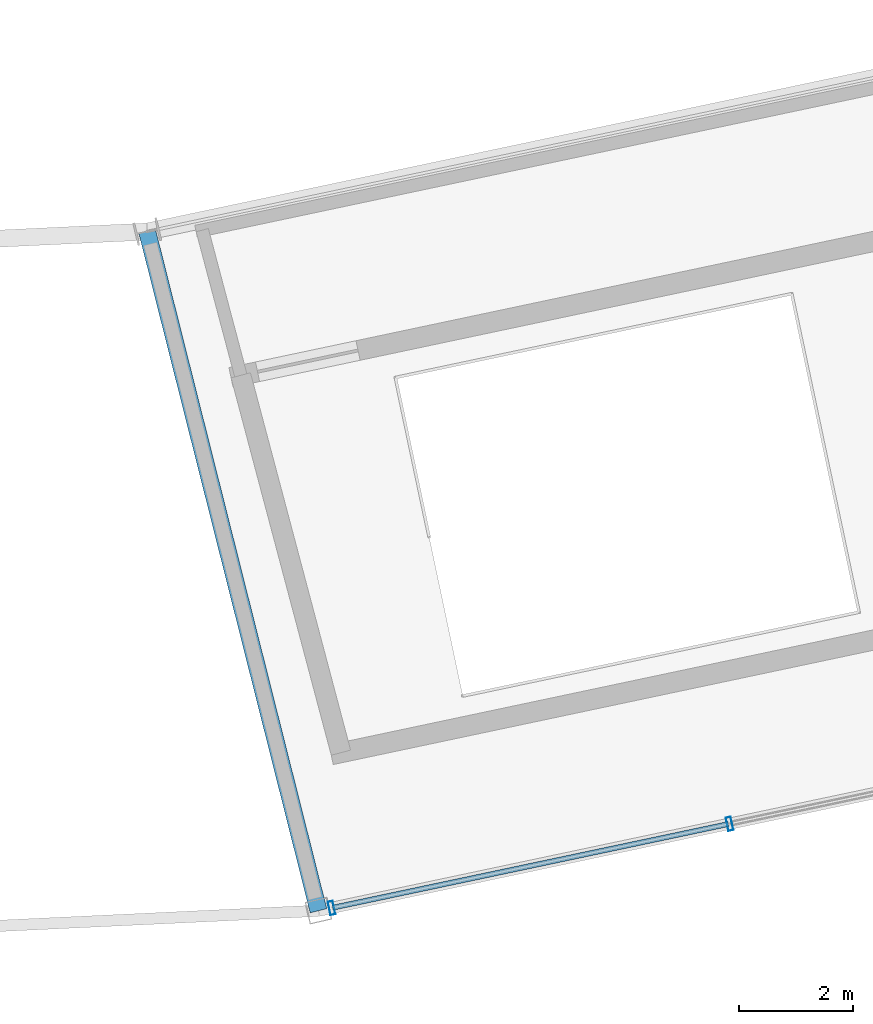
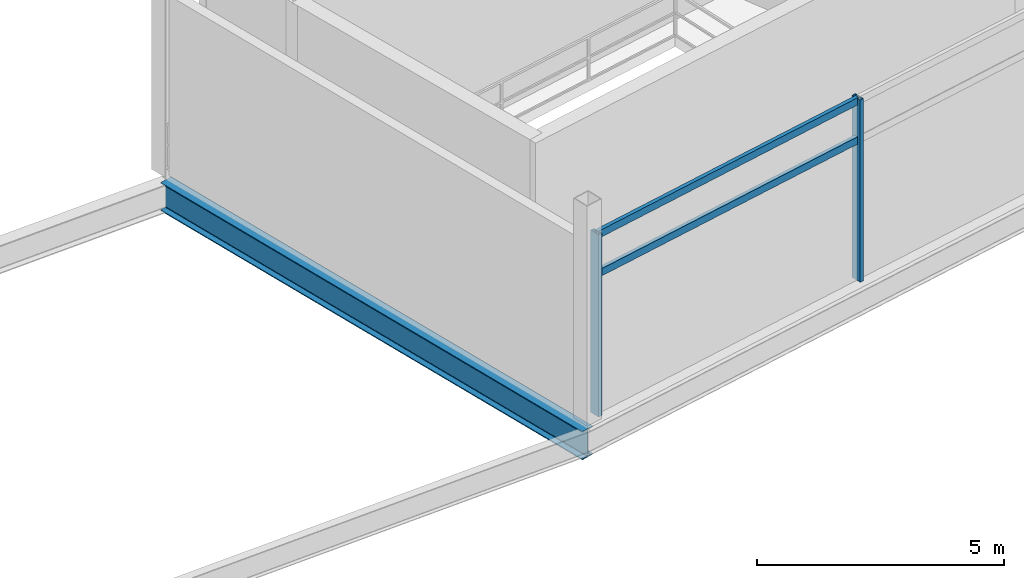
# One storey, part 35 of 86: 4 members, 1 beam, 1 element without a shape of its own.
"""IFC4 building model written with IfcOpenShell, lengths in metres."""

from ifc_helpers import new_model, si_unit, direction, frame, origin, origin_2d, place, context, subcontext, project, spatial, hollow_rectangle, i_section, extrude, material, layer, layer_set, material_profile, profile_set, type_object, element, aggregate, save


model = new_model("IFC4")

# Units and contexts
model_context = context("Model", 3, precision=1e-05, world=origin(), true_north=direction((0.0, 1.0)))
body_context = subcontext(model_context, "Body", "Model", "MODEL_VIEW")
ifc_project = project(units=[si_unit("LENGTHUNIT", "METRE"), si_unit("AREAUNIT", "SQUARE_METRE"), si_unit("VOLUMEUNIT", "CUBIC_METRE"), si_unit("PLANEANGLEUNIT", "RADIAN"), si_unit("MASSUNIT", "GRAM", prefix="KILO")], contexts=[model_context])

# Site, building, storey
site_placement = place(None, origin())
site = spatial("IfcSite", under=ifc_project, at=site_placement, CompositionType="ELEMENT")
building_placement = place(site_placement, origin())
building = spatial("IfcBuilding", under=site, at=building_placement, Name="Kazemori Nagisa Stadium", CompositionType="ELEMENT")
storey_placement = place(building_placement, frame((0.0, 0.0, 31.280029296875)))
storey = spatial("IfcBuildingStorey", under=building, at=storey_placement, Name="L06", CompositionType="ELEMENT", Elevation=31.280029296875)

# Beam
ifc_material_1 = material(Name="Steel SN490B", Category="steel")
ifc_material_profile_1 = material_profile(ifc_material_1, i_section(OverallWidth=0.300048828125, OverallDepth=0.699951171875, WebThickness=0.012939453125, FlangeThickness=0.02392578125, FilletRadius=0.01806640625, at=origin_2d()), Name="H-700x300x13x24")
ifc_profile_set_1 = profile_set([ifc_material_profile_1], Name="Steel SN490B")
beam_type = type_object("IfcBeamType", Name="Beam_BG-H700", PredefinedType="BEAM", material=ifc_profile_set_1)
beam_placement = place(storey_placement, frame((141.427734375, 28.911376953125, -0.610107421875), z_axis=(0.244487324834, -0.969652488263, 0.0), x_axis=(0.969652488263, 0.244487324834, 0.0)))
element("IfcBeam", 1, at=beam_placement, inside=storey, type_object=beam_type, Name="Radial girder BG-H700 L06 R2-R3-23", PredefinedType="BEAM", context=body_context, shape_type="SweptSolid", body=[
    extrude(i_section(OverallWidth=0.300048828125, OverallDepth=0.699951171875, WebThickness=0.012939453125, FlangeThickness=0.02392578125, FilletRadius=0.01806640625, at=origin_2d()), origin(), (0.0, 0.0, 1.0), 12.2705078125),
])

# Curtain wall, members
ifc_material_2 = material(Name="Anodised aluminium 6063-T5", Category="aluminium")
ifc_layer = layer(ifc_material_2, 0.239990234375, Name="Anodised aluminium 6063-T5", Category="aluminium")
ifc_layer_set = layer_set([ifc_layer], Name="Anodised aluminium 6063-T5")
curtain_wall_type = type_object("IfcCurtainWallType", Name="CW_L06R3_107", PredefinedType="USERDEFINED", material=ifc_layer_set)
curtain_wall_placement = place(storey_placement, origin())
curtain_wall = element("IfcCurtainWall", 2, at=curtain_wall_placement, inside=storey, type_object=curtain_wall_type, Name="Unitised curtain wall CW-L06R3-107 L06", ObjectType="UNITISED CURTAIN WALL", PredefinedType="USERDEFINED")
ifc_material_3 = material(Name="Aluminium 6063-T5 anodised", Category="aluminium")
ifc_material_profile_2 = material_profile(ifc_material_3, hollow_rectangle(XDim=0.090087890625, YDim=0.239990234375, WallThickness=0.0048828125, at=origin_2d()), Name="ALU-MULL-90x240x5")
ifc_profile_set_2 = profile_set([ifc_material_profile_2], Name="Aluminium 6063-T5 anodised")
member_type_1 = type_object("IfcMemberType", Name="Mullion_M03", PredefinedType="MULLION", material=ifc_profile_set_2)
member_1_placement = place(storey_placement, frame((144.657470703125, 17.061767578125, 0.0), z_axis=(0.0, 0.0, 1.0), x_axis=(0.978344955407, 0.206981033502, 0.0)))
member_1 = element("IfcMember", 3, at=member_1_placement, type_object=member_type_1, Name="Curtain wall mullion CW-L06R3-107-M1", PredefinedType="MULLION", context=body_context, shape_type="SweptSolid", body=[
    extrude(hollow_rectangle(XDim=0.090087890625, YDim=0.239990234375, WallThickness=0.0048828125, at=origin_2d()), origin(), (0.0, 0.0, 1.0), 4.510009765625),
])
member_2_placement = place(storey_placement, frame((151.6298828125, 18.536865234375, 0.0), z_axis=(0.0, 0.0, 1.0), x_axis=(0.978344955407, 0.206981033502, 0.0)))
member_2 = element("IfcMember", 4, at=member_2_placement, type_object=member_type_1, Name="Curtain wall mullion CW-L06R3-107-M2", PredefinedType="MULLION", context=body_context, shape_type="SweptSolid", body=[
    extrude(hollow_rectangle(XDim=0.090087890625, YDim=0.239990234375, WallThickness=0.0048828125, at=origin_2d()), origin(), (0.0, 0.0, 1.0), 4.510009765625),
])
ifc_material_profile_3 = material_profile(ifc_material_3, hollow_rectangle(XDim=0.090087890625, YDim=0.179931640625, WallThickness=0.0048828125, at=origin_2d()), Name="ALU-TRAN-90x180x5")
ifc_profile_set_3 = profile_set([ifc_material_profile_3], Name="Aluminium 6063-T5 anodised")
member_type_2 = type_object("IfcMemberType", Name="Transom_T03", PredefinedType="USERDEFINED", material=ifc_profile_set_3)
member_3_placement = place(storey_placement, frame((144.67724609375, 17.06591796875, 3.47265625), z_axis=(0.978344605267, 0.206982688515, 0.0), x_axis=(-0.206982688515, 0.978344605267, 0.0)))
member_3 = element("IfcMember", 5, at=member_3_placement, type_object=member_type_2, Name="Curtain wall transom CW-L06R3-107-T1-mid", ObjectType="TRANSOM", PredefinedType="USERDEFINED", context=body_context, shape_type="SweptSolid", body=[
    extrude(hollow_rectangle(XDim=0.090087890625, YDim=0.179931640625, WallThickness=0.0048828125, at=origin_2d()), origin(), (0.0, 0.0, 1.0), 7.086669921875),
])
member_4_placement = place(storey_placement, frame((144.67724609375, 17.06591796875, 4.43994140625), z_axis=(0.978344605267, 0.206982688515, 0.0), x_axis=(-0.206982688515, 0.978344605267, 0.0)))
member_4 = element("IfcMember", 6, at=member_4_placement, type_object=member_type_2, Name="Curtain wall transom CW-L06R3-107-T1-head", ObjectType="TRANSOM", PredefinedType="USERDEFINED", context=body_context, shape_type="SweptSolid", body=[
    extrude(hollow_rectangle(XDim=0.090087890625, YDim=0.179931640625, WallThickness=0.0048828125, at=origin_2d()), origin(), (0.0, 0.0, 1.0), 7.086669921875),
])
aggregate(curtain_wall, [member_1, member_2, member_3, member_4])

save(model, "model.ifc")
